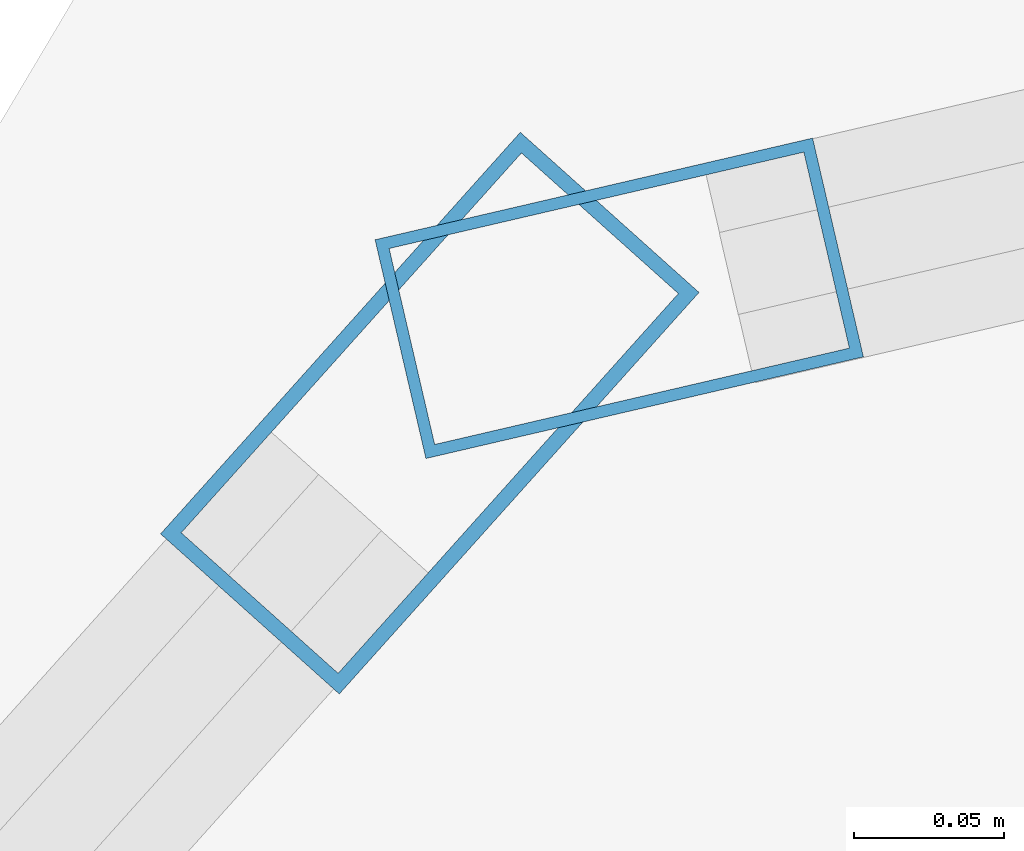
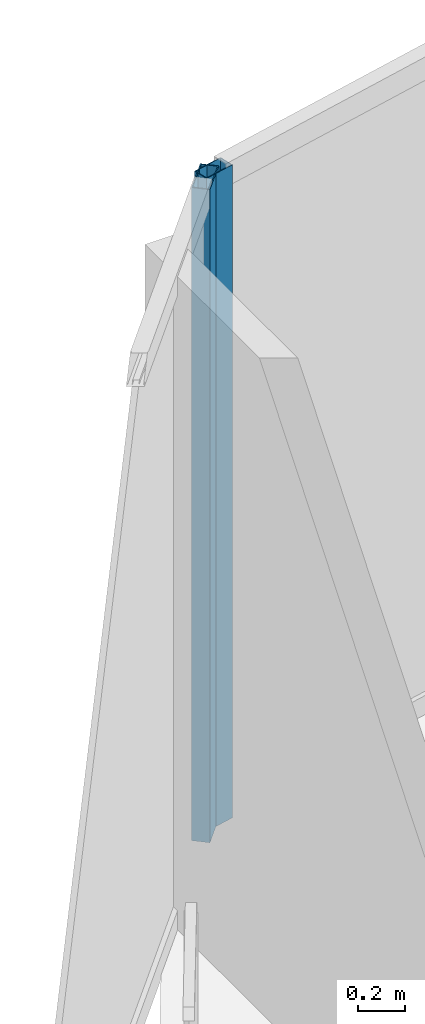
# One storey, part 19 of 31: 2 members, 2 elements without a shape of their own.
"""IFC4 building model written with IfcOpenShell, lengths in metres."""

from ifc_helpers import new_model, si_unit, direction, frame, origin, origin_2d, place, context, subcontext, project, spatial, hollow_rectangle, extrude, material, layer, layer_set, material_profile, profile_set, type_object, element, aggregate, save


model = new_model("IFC4")

# Units and contexts
model_context = context("Model", 3, precision=1e-05, world=origin(), true_north=direction((0.0, 1.0)))
body_context = subcontext(model_context, "Body", "Model", "MODEL_VIEW")
ifc_project = project(units=[si_unit("LENGTHUNIT", "METRE"), si_unit("AREAUNIT", "SQUARE_METRE"), si_unit("VOLUMEUNIT", "CUBIC_METRE"), si_unit("PLANEANGLEUNIT", "RADIAN"), si_unit("MASSUNIT", "GRAM", prefix="KILO")], contexts=[model_context])

# Site, building, storey
site_placement = place(None, origin())
site = spatial("IfcSite", under=ifc_project, at=site_placement, CompositionType="ELEMENT")
building_placement = place(site_placement, origin())
building = spatial("IfcBuilding", under=site, at=building_placement, Name="Kazevale Care Tower and Concert Hall", CompositionType="ELEMENT")
storey_placement = place(building_placement, frame((0.0, 0.0, 78.0)))
storey = spatial("IfcBuildingStorey", under=building, at=storey_placement, Name="L20", CompositionType="ELEMENT", Elevation=78.0)

# Curtain wall, member
ifc_material_1 = material(Name="Aluminium 6063-T6 and Low-E Glass", Category="aluminium")
ifc_layer_1 = layer(ifc_material_1, 0.179931640625)
ifc_layer_set_1 = layer_set([ifc_layer_1], Name="Aluminium 6063-T6 and Low-E Glass")
curtain_wall_type_1 = type_object("IfcCurtainWallType", Name="Convex Checkerboard Finned Curtain Wall CW-2", PredefinedType="NOTDEFINED", material=ifc_layer_set_1)
curtain_wall_1_placement = place(storey_placement, origin())
curtain_wall_1 = element("IfcCurtainWall", 1, at=curtain_wall_1_placement, inside=storey, type_object=curtain_wall_type_1, Name="cw:L20:f14", PredefinedType="NOTDEFINED")
ifc_material_2 = material(Name="Aluminium 6063-T6", Category="aluminium")
ifc_material_profile_1 = material_profile(ifc_material_2, hollow_rectangle(XDim=0.080078125, YDim=0.179931640625, WallThickness=0.0048828125, at=origin_2d()), Name="ALU80x180x5")
ifc_profile_set_1 = profile_set([ifc_material_profile_1], Name="Aluminium 6063-T6")
member_type_1 = type_object("IfcMemberType", Name="CW-2 Mullion ALU80x180x5", PredefinedType="MULLION", material=ifc_profile_set_1)
member_1_placement = place(storey_placement, frame((26.398193359375, 61.833251953125, 0.0), z_axis=(0.0, 0.0, 1.0), x_axis=(-0.744820476493, 0.667264908262, 0.0)))
member_1 = element("IfcMember", 2, at=member_1_placement, type_object=member_type_1, Name="CW-2 mullion 2", PredefinedType="MULLION", context=body_context, shape_type="SweptSolid", body=[
    extrude(hollow_rectangle(XDim=0.080078125, YDim=0.179931640625, WallThickness=0.0048828125, at=origin_2d()), origin(), (0.0, 0.0, 1.0), 3.360107421875),
])
aggregate(curtain_wall_1, [member_1])

ifc_layer_2 = layer(ifc_material_1, 0.179931640625)
ifc_layer_set_2 = layer_set([ifc_layer_2], Name="Aluminium 6063-T6 and Low-E Glass")
curtain_wall_type_2 = type_object("IfcCurtainWallType", Name="Convex Recessed Sunroom Curtain Wall CW-3", PredefinedType="NOTDEFINED", material=ifc_layer_set_2)
curtain_wall_2_placement = place(storey_placement, origin())
curtain_wall_2 = element("IfcCurtainWall", 3, at=curtain_wall_2_placement, inside=storey, type_object=curtain_wall_type_2, Name="cw:L20:f15", PredefinedType="NOTDEFINED")
ifc_material_profile_2 = material_profile(ifc_material_2, hollow_rectangle(XDim=0.074951171875, YDim=0.14990234375, WallThickness=0.00390625, at=origin_2d()), Name="ALU75x150x4")
ifc_profile_set_2 = profile_set([ifc_material_profile_2], Name="Aluminium 6063-T6")
member_type_2 = type_object("IfcMemberType", Name="CW-3 Mullion ALU75x150x4", PredefinedType="MULLION", material=ifc_profile_set_2)
member_2_placement = place(storey_placement, frame((26.46142578125, 61.87158203125, 0.0), z_axis=(0.0, 0.0, 1.0), x_axis=(-0.226287348061, 0.9740605916, 0.0)))
member_2 = element("IfcMember", 4, at=member_2_placement, type_object=member_type_2, Name="CW-3 mullion 1", PredefinedType="MULLION", context=body_context, shape_type="SweptSolid", body=[
    extrude(hollow_rectangle(XDim=0.074951171875, YDim=0.14990234375, WallThickness=0.00390625, at=origin_2d()), origin(), (0.0, 0.0, 1.0), 3.360107421875),
])
aggregate(curtain_wall_2, [member_2])

save(model, "model.ifc")
